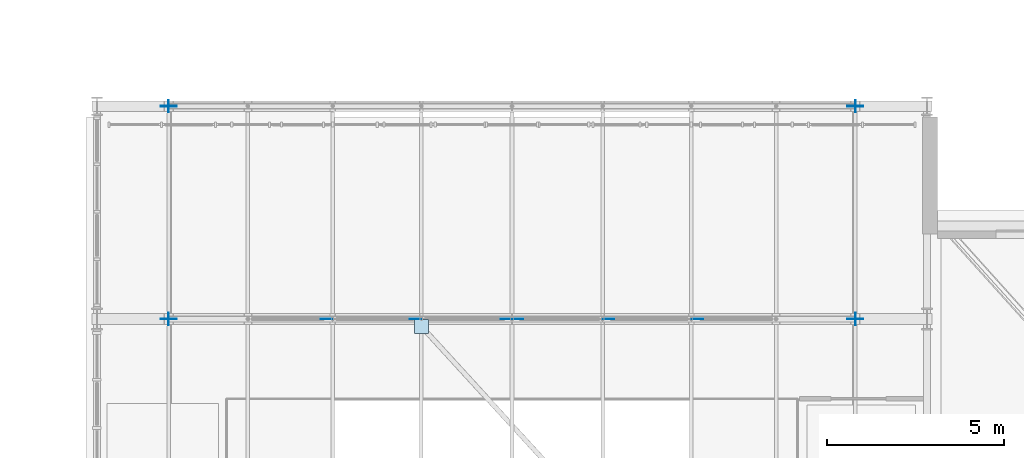
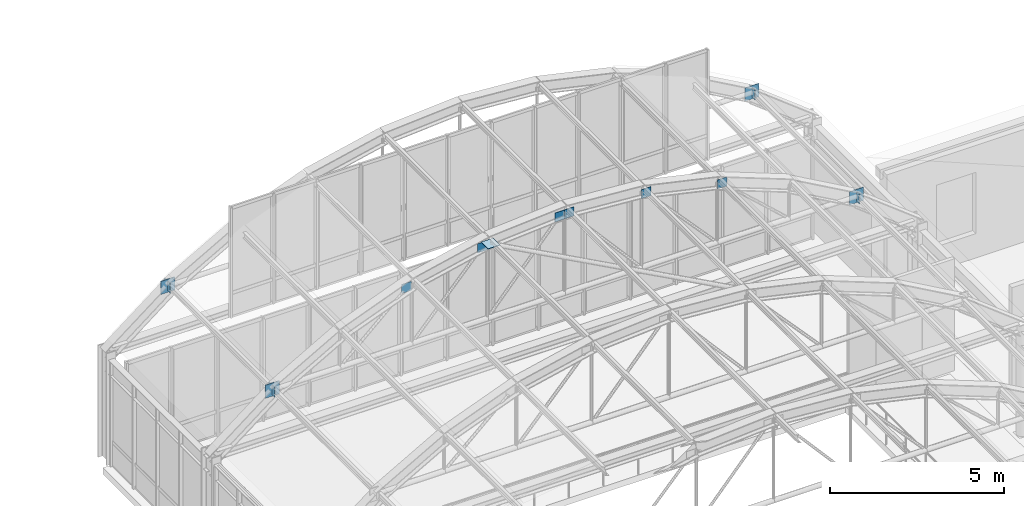
# One storey, part 118 of 148: 15 plates.
"""IFC4 building model written with IfcOpenShell, lengths in metres."""

from ifc_helpers import new_model, si_unit, direction, frame, origin, origin_2d, place, context, subcontext, project, spatial, rectangle, extrude, material, layer, layer_set, type_object, element, save


model = new_model("IFC4")

# Units and contexts
model_context = context("Model", 3, precision=1e-05, world=origin(), true_north=direction((0.0, 1.0)))
body_context = subcontext(model_context, "Body", "Model", "MODEL_VIEW")
ifc_project = project(units=[si_unit("LENGTHUNIT", "METRE"), si_unit("AREAUNIT", "SQUARE_METRE"), si_unit("VOLUMEUNIT", "CUBIC_METRE"), si_unit("PLANEANGLEUNIT", "RADIAN"), si_unit("MASSUNIT", "GRAM", prefix="KILO"), si_unit("THERMODYNAMICTEMPERATUREUNIT", "KELVIN"), si_unit("POWERUNIT", "WATT")], contexts=[model_context])

# Site, building, storey
site_placement = place(None, origin())
site = spatial("IfcSite", under=ifc_project, at=site_placement, CompositionType="ELEMENT")
building_placement = place(site_placement, origin())
building = spatial("IfcBuilding", under=site, at=building_placement, Name="Solvatero Civic Police Headquarters", CompositionType="ELEMENT")
storey_placement = place(building_placement, frame((0.0, 0.0, 5.10009765625)))
storey = spatial("IfcBuildingStorey", under=building, at=storey_placement, Name="L01", CompositionType="ELEMENT", Elevation=5.10009765625)

# Plates
ifc_material = material(Name="Steel S355", Category="steel")
ifc_layer_1 = layer(ifc_material, 0.02001953125)
ifc_layer_set_1 = layer_set([ifc_layer_1], Name="Steel S355")
plate_type_1 = type_object("IfcPlateType", Name="PLT-CAP-20", PredefinedType="SHEET", material=ifc_layer_set_1)
for number, where, z_axis, x_axis, name in (
    (1, (100.8125, 40.800048828125, 5.2216796875), (0.0, 0.0, 1.0), (1.0, 0.0, 0.0), "Hollow Section End Cap Plate 0163"),
    (2, (120.1875, 40.800048828125, 5.2216796875), (0.0, 0.0, 1.0), (1.0, 0.0, 0.0), "Hollow Section End Cap Plate 0164"),
    (3, (100.8125, 46.800048828125, 5.2216796875), (0.0, 0.0, 1.0), (1.0, 0.0, 0.0), "Hollow Section End Cap Plate 0165"),
    (4, (120.1875, 46.800048828125, 5.2216796875), (0.0, 0.0, 1.0), (1.0, 0.0, 0.0), "Hollow Section End Cap Plate 0166"),
):
    element("IfcPlate", number, at=place(storey_placement, frame(where, z_axis=z_axis, x_axis=x_axis)), inside=storey, type_object=plate_type_1, Name=name, PredefinedType="SHEET", context=body_context, shape_type="SweptSolid", body=[
        extrude(rectangle(XDim=0.02001953125, YDim=0.340087890625, at=origin_2d()), origin(), (0.0, 0.0, 1.0), 0.340087890625),
    ])
ifc_layer_2 = layer(ifc_material, 0.02001953125)
ifc_layer_set_2 = layer_set([ifc_layer_2], Name="Steel S355")
plate_type_2 = type_object("IfcPlateType", Name="PLT-GUS-16", PredefinedType="SHEET", material=ifc_layer_set_2)
for number, where, z_axis, x_axis, name in (
    (5, (105.267333984375, 40.800048828125, 7.24951171875), (0.0, 0.0, 1.0), (1.0, 0.0, 0.0), "VLT1 Vault Diagonal Gusset F7.2"),
    (6, (107.783203125, 40.800048828125, 7.79345703125), (0.0, 0.0, 1.0), (1.0, 0.0, 0.0), "VLT1 Vault Diagonal Gusset F7.3"),
    (7, (110.34228515625, 40.800048828125, 7.97802734375), (0.0, 0.0, 1.0), (1.0, 0.0, 0.0), "VLT1 Vault Diagonal Gusset F7.4"),
    (8, (110.65771484375, 40.800048828125, 7.97802734375), (0.0, 0.0, 1.0), (1.0, 0.0, 0.0), "VLT1 Vault Diagonal Gusset F7.5"),
    (9, (113.216796875, 40.800048828125, 7.79345703125), (0.0, 0.0, 1.0), (1.0, 0.0, 0.0), "VLT1 Vault Diagonal Gusset F7.6"),
    (10, (115.732666015625, 40.800048828125, 7.24951171875), (0.0, 0.0, 1.0), (1.0, 0.0, 0.0), "VLT1 Vault Diagonal Gusset F7.7"),
):
    element("IfcPlate", number, at=place(storey_placement, frame(where, z_axis=z_axis, x_axis=x_axis)), inside=storey, type_object=plate_type_2, Name=name, PredefinedType="SHEET", context=body_context, shape_type="SweptSolid", body=[
        extrude(rectangle(XDim=0.320068359375, YDim=0.02001953125, at=origin_2d()), origin(), (0.0, 0.0, 1.0), 0.320068359375),
    ])
plate_placement = place(storey_placement, frame((107.94482421875, 40.592041015625, 8.120849609375), z_axis=(0.0, 0.0, 1.0), x_axis=(1.0, 0.0, 0.0)))
element("IfcPlate", 11, at=plate_placement, inside=storey, type_object=plate_type_2, Name="VLT1 Wind Brace Gusset B B6", PredefinedType="SHEET", context=body_context, shape_type="SweptSolid", body=[
    extrude(rectangle(XDim=0.39990234375, YDim=0.39990234375, at=origin_2d()), origin(), (0.0, 0.0, 1.0), 0.02001953125),
])
ifc_layer_3 = layer(ifc_material, 0.02490234375)
ifc_layer_set_3 = layer_set([ifc_layer_3], Name="Steel S355")
plate_type_3 = type_object("IfcPlateType", Name="PLT-GUS-20", PredefinedType="SHEET", material=ifc_layer_set_3)
for number, where, z_axis, x_axis, name in (
    (12, (100.822509765625, 40.800048828125, 5.16162109375), (0.0, 0.0, 1.0), (1.0, 0.0, 0.0), "VLT1 Haunch Gusset W F7"),
    (13, (120.177490234375, 40.800048828125, 5.16162109375), (0.0, 0.0, 1.0), (1.0, 0.0, 0.0), "VLT1 Haunch Gusset E F7"),
    (14, (100.822509765625, 46.800048828125, 5.16162109375), (0.0, 0.0, 1.0), (1.0, 0.0, 0.0), "VLT1 Haunch Gusset W F8"),
    (15, (120.177490234375, 46.800048828125, 5.16162109375), (0.0, 0.0, 1.0), (1.0, 0.0, 0.0), "VLT1 Haunch Gusset E F8"),
):
    element("IfcPlate", number, at=place(storey_placement, frame(where, z_axis=z_axis, x_axis=x_axis)), inside=storey, type_object=plate_type_3, Name=name, PredefinedType="SHEET", context=body_context, shape_type="SweptSolid", body=[
        extrude(rectangle(XDim=0.4599609375, YDim=0.02490234375, at=origin_2d()), origin(), (0.0, 0.0, 1.0), 0.4599609375),
    ])

save(model, "model.ifc")
